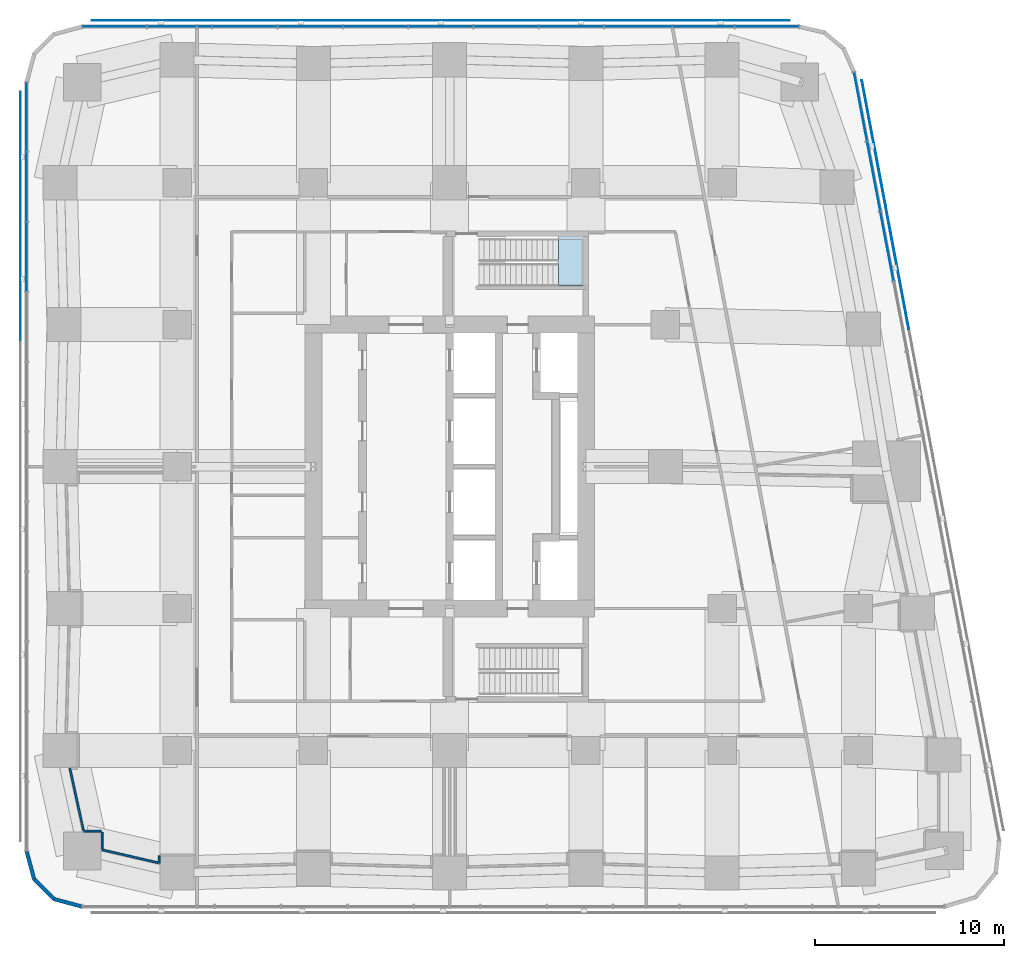
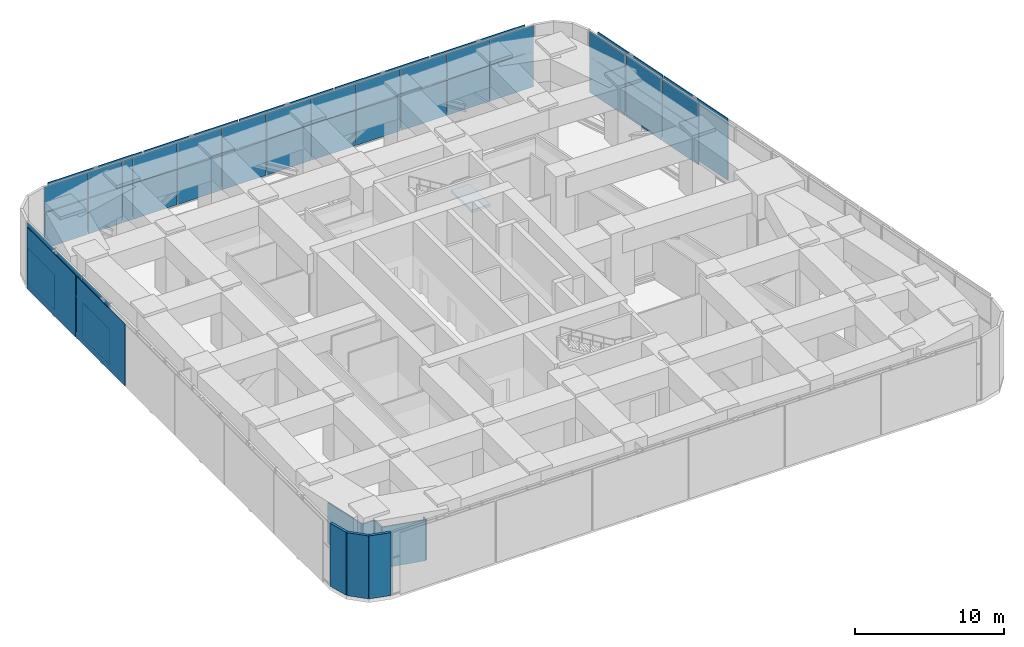
# One storey, part 11 of 17: 45 plates, 8 walls, 1 slab, 4 elements without a shape of their own.
"""IFC4 building model written with IfcOpenShell, lengths in metres."""

import ifcopenshell
import ifcopenshell.guid

model = None  # the IFC model being written
_history = None  # IfcOwnerHistory: only IFC2X3 demands one
_inside = {}  # id of a spatial element -> (the spatial element, [elements in it])
_under = {}  # id of a project, library or spatial element -> (it, [spatial elements below it])
_declared = {}  # id of a project -> (the project, [libraries it declares])
_typed = {}  # id of a type object -> (the type object, [elements of that type])
_made_of = {}  # id of a material, layer set ... -> (it, [elements and type objects made of it])


def new_model(schema):
    """Start an empty IFC model of exactly this schema.

    Asked for "IFC4X3", IfcOpenShell would pick the latest addendum, in which some entities
    have other attributes; the version numbers below select the first issue.
    IFC2X3 requires an IfcOwnerHistory on every rooted entity: one is made here for all.
    """
    global model, _history
    if schema == "IFC4X3":
        model = ifcopenshell.file(schema_version=(4, 3, 0, 0))
    else:
        model = ifcopenshell.file(schema=schema)
    _inside.clear()
    _under.clear()
    _declared.clear()
    _typed.clear()
    _made_of.clear()
    _history = None
    if model.schema == "IFC2X3":
        org = make("IfcOrganization", Name="unknown")
        user = make(
            "IfcPersonAndOrganization",
            ThePerson=make("IfcPerson", FamilyName="unknown"),
            TheOrganization=org,
        )
        app = make(
            "IfcApplication",
            ApplicationDeveloper=org,
            Version="unknown",
            ApplicationFullName="unknown",
            ApplicationIdentifier="unknown",
        )
        _history = make(
            "IfcOwnerHistory",
            OwningUser=user,
            OwningApplication=app,
            ChangeAction="ADDED",
            CreationDate=0,
        )
    return model


def make(cls, **values):
    """One entity of the class cls with the attributes given. An attribute that is None is left unset."""
    return model.create_entity(
        cls, **{name: value for name, value in values.items() if value is not None}
    )


def rooted(cls, **values):
    """An entity with a GlobalId (a new one), such as an element, a storey or a relation."""
    return make(cls, GlobalId=ifcopenshell.guid.new(), OwnerHistory=_history, **values)


def si_unit(unit_type, name, prefix=None):
    """IfcSIUnit, for example si_unit("LENGTHUNIT", "METRE", prefix="MILLI")."""
    return make("IfcSIUnit", UnitType=unit_type, Prefix=prefix, Name=name)


def assignment(units):
    """IfcUnitAssignment: the units of a project."""
    return None if units is None else make("IfcUnitAssignment", Units=units)


def point(xyz):
    """IfcCartesianPoint."""
    return None if xyz is None else make("IfcCartesianPoint", Coordinates=xyz)


def direction(xyz):
    """IfcDirection."""
    return None if xyz is None else make("IfcDirection", DirectionRatios=xyz)


def frame(location, z_axis=None, x_axis=None):
    """IfcAxis2Placement3D, a coordinate frame: its origin and axes. An axis left out is left unset."""
    return make(
        "IfcAxis2Placement3D",
        Location=point(location),
        Axis=direction(z_axis),
        RefDirection=direction(x_axis),
    )


def frame_2d(location, x_axis=None):
    """IfcAxis2Placement2D, a coordinate frame in the plane: its origin and x axis."""
    return make(
        "IfcAxis2Placement2D", Location=point(location), RefDirection=direction(x_axis)
    )


def origin():
    """The frame at (0, 0, 0) with its axes left unset."""
    return frame((0.0, 0.0, 0.0))


def origin_2d():
    """The frame at (0, 0) in the plane with its x axis left unset."""
    return frame_2d((0.0, 0.0))


def place(relative_to, where):
    """IfcLocalPlacement: puts the frame where relative to a parent placement (None: the world)."""
    return make(
        "IfcLocalPlacement", PlacementRelTo=relative_to, RelativePlacement=where
    )


def context(
    kind, dimensions, precision=None, world=None, true_north=None, identifier=None
):
    """IfcGeometricRepresentationContext, for example the 3D "Model" context."""
    return make(
        "IfcGeometricRepresentationContext",
        ContextIdentifier=identifier,
        ContextType=kind,
        CoordinateSpaceDimension=dimensions,
        Precision=precision,
        WorldCoordinateSystem=world,
        TrueNorth=true_north,
    )


def subcontext(parent, identifier, kind, view, scale=None):
    """IfcGeometricRepresentationSubContext, for example "Body" below "Model"."""
    return make(
        "IfcGeometricRepresentationSubContext",
        ContextIdentifier=identifier,
        ContextType=kind,
        ParentContext=parent,
        TargetScale=scale,
        TargetView=view,
    )


def project(units=None, contexts=None):
    """IfcProject with its units and contexts."""
    return rooted(
        "IfcProject",
        Name="project",
        RepresentationContexts=contexts,
        UnitsInContext=assignment(units),
    )


def spatial(cls, under=None, at=None, **own):
    """A site, building, storey or space (cls), placed at a placement, below another one or the project."""
    s = rooted(cls, ObjectPlacement=at, **own)
    if under is not None:
        _under.setdefault(under.id(), (under, []))[1].append(s)
    return s


def polyline(points):
    """IfcPolyline through the points."""
    return make("IfcPolyline", Points=[point(p) for p in points])


def profile(cls, at=None, kind="AREA", **sizes):
    """A parametric profile (cls). Its sizes go by their IFC names, for example OverallWidth=200.0."""
    return make(cls, ProfileType=kind, Position=at, **sizes)


def rectangle(**sizes):
    """IfcRectangleProfileDef."""
    return profile("IfcRectangleProfileDef", **sizes)


def outline(outer, holes=None, kind="AREA"):
    """IfcArbitraryClosedProfileDef: a profile drawn as a closed curve; with holes, ...WithVoids."""
    if holes is None:
        return make("IfcArbitraryClosedProfileDef", ProfileType=kind, OuterCurve=outer)
    return make(
        "IfcArbitraryProfileDefWithVoids",
        ProfileType=kind,
        OuterCurve=outer,
        InnerCurves=holes,
    )


def extrude(swept, where, along, depth):
    """IfcExtrudedAreaSolid: the profile swept, set in the frame where, extruded along a direction by depth."""
    return make(
        "IfcExtrudedAreaSolid",
        SweptArea=swept,
        Position=where,
        ExtrudedDirection=direction(along),
        Depth=depth,
    )


def shape(context_of_items, identifier, shape_type, items):
    """IfcShapeRepresentation: the items that make up one representation, for example the "Body"."""
    return make(
        "IfcShapeRepresentation",
        ContextOfItems=context_of_items,
        RepresentationIdentifier=identifier,
        RepresentationType=shape_type,
        Items=items,
    )


def material(Name=None, Category=None):
    """IfcMaterial."""
    return make("IfcMaterial", Name=Name, Category=Category)


def layer(
    of_material, thickness, ventilated=None, Name=None, Category=None, Priority=None
):
    """IfcMaterialLayer: one layer of a wall or slab, of a material (None: an air gap)."""
    return make(
        "IfcMaterialLayer",
        Material=of_material,
        LayerThickness=thickness,
        IsVentilated=ventilated,
        Name=Name,
        Category=Category,
        Priority=Priority,
    )


def layer_set(layers, Name=None):
    """IfcMaterialLayerSet."""
    return make("IfcMaterialLayerSet", MaterialLayers=layers, LayerSetName=Name)


def made_of(thing, what):
    """Note that an element or type object is made of a material, layer set ...; save() writes the relation."""
    if what is not None:
        _made_of.setdefault(what.id(), (what, []))[1].append(thing)
    return thing


def type_object(cls, material=None, **own):
    """A type object (cls), such as IfcWallType, which elements share."""
    return made_of(rooted(cls, **own), material)


def element(
    cls,
    number,
    at=None,
    inside=None,
    cuts=None,
    type_object=None,
    material=None,
    context=None,
    identifier="Body",
    shape_type=None,
    held_by="IfcProductDefinitionShape",
    body=None,
    shapes=None,
    **own,
):
    """One element of the class cls, such as IfcWall. Its Tag is "e" and its number.

    at: its placement. inside: the storey or other place that contains it. cuts: it is an
    opening in that element (IfcRelVoidsElement). A single representation is given by context,
    identifier, shape_type and body (its items); several are given by shapes. held_by: the class
    of the entity that holds the representations. save() writes the other relations.
    """
    e = rooted(cls, Tag="e%d" % number, ObjectPlacement=at, **own)
    if body is not None:
        shapes = [shape(context, identifier, shape_type, body)]
    if shapes is not None:
        e.Representation = make(held_by, Representations=shapes)
    if inside is not None:
        _inside.setdefault(inside.id(), (inside, []))[1].append(e)
    if cuts is not None:
        rooted(
            "IfcRelVoidsElement", RelatingBuildingElement=cuts, RelatedOpeningElement=e
        )
    if type_object is not None:
        _typed.setdefault(type_object.id(), (type_object, []))[1].append(e)
    return made_of(e, material)


def aggregate(whole, parts):
    """IfcRelAggregates: a whole, such as a stair, and the parts it consists of."""
    return rooted("IfcRelAggregates", RelatingObject=whole, RelatedObjects=parts)


def save(model, path):
    """Write the relations noted so far, then the file.

    IfcRelAggregates (storeys below a building ...), IfcRelContainedInSpatialStructure (elements
    in a storey), IfcRelDefinesByType, IfcRelAssociatesMaterial and IfcRelDeclares: one each for
    every whole, place, type object, material and project.
    """
    for whole, parts in _under.values():
        aggregate(whole, parts)
    for where, things in _inside.values():
        rooted(
            "IfcRelContainedInSpatialStructure",
            RelatedElements=things,
            RelatingStructure=where,
        )
    for kind, things in _typed.values():
        rooted("IfcRelDefinesByType", RelatedObjects=things, RelatingType=kind)
    for what, things in _made_of.values():
        rooted("IfcRelAssociatesMaterial", RelatedObjects=things, RelatingMaterial=what)
    for by, libraries in _declared.values():
        rooted("IfcRelDeclares", RelatingContext=by, RelatedDefinitions=libraries)
    model.write(path)


model = new_model("IFC4")

# Units and contexts
model_context = context("Model", 3, precision=1e-05, world=origin(), true_north=direction((0.0, 1.0)))
body_context = subcontext(model_context, "Body", "Model", "MODEL_VIEW")
ifc_project = project(units=[si_unit("LENGTHUNIT", "METRE"), si_unit("AREAUNIT", "SQUARE_METRE"), si_unit("VOLUMEUNIT", "CUBIC_METRE"), si_unit("PLANEANGLEUNIT", "RADIAN"), si_unit("MASSUNIT", "GRAM", prefix="KILO")], contexts=[model_context])

# Site, building, storey
site_placement = place(None, origin())
site = spatial("IfcSite", under=ifc_project, at=site_placement, CompositionType="ELEMENT")
building_placement = place(site_placement, origin())
building = spatial("IfcBuilding", under=site, at=building_placement, Name="Sheger Commons Tower", CompositionType="ELEMENT")
storey_placement = place(building_placement, frame((0.0, 0.0, 188.300048828125)))
storey = spatial("IfcBuildingStorey", under=building, at=storey_placement, Name="L48", CompositionType="ELEMENT", Elevation=188.300048828125)

# Curtain wall, plates
ifc_material_1 = material(Name="Black aluminium curtain wall, dark tinted glazing", Category="aluminium")
curtain_wall_type = type_object("IfcCurtainWallType", Name="CURTAIN WALL CW3 SKY FLOOR", PredefinedType="USERDEFINED", material=ifc_material_1)
curtain_wall_1_placement = place(storey_placement, origin())
curtain_wall_1 = element("IfcCurtainWall", 1, at=curtain_wall_1_placement, inside=storey, type_object=curtain_wall_type, Name="Curtain Wall Cw3 Sky Floor E1 L48", ObjectType="UNITISED CURTAIN WALL", PredefinedType="USERDEFINED")
ifc_material_2 = material(Name="Dark tinted double glazing", Category="glass")
ifc_layer_1 = layer(ifc_material_2, 0.031982421875)
ifc_layer_set_1 = layer_set([ifc_layer_1], Name="GLAZED PANEL 32")
plate_type_1 = type_object("IfcPlateType", Name="GLAZED PANEL 32", PredefinedType="CURTAIN_PANEL", material=ifc_layer_set_1)
plate_1_placement = place(storey_placement, frame((44.716064453125, 34.1328125, 0.06494140625), z_axis=(0.0, 0.0, 1.0), x_axis=(-0.185609884918, 0.982623514181, 0.0)))
plate_1 = element("IfcPlate", 2, at=plate_1_placement, type_object=plate_type_1, Name="CW3 panel 11.1", PredefinedType="CURTAIN_PANEL", context=body_context, shape_type="SweptSolid", body=[
    extrude(rectangle(XDim=3.697998046875, YDim=0.031982421875, at=origin_2d()), origin(), (0.0, 0.0, 1.0), 2.902587890625),
])
plate_2_placement = place(storey_placement, frame((44.716064453125, 34.1328125, 3.0322265625), z_axis=(0.0, 0.0, 1.0), x_axis=(-0.185609884918, 0.982623514181, 0.0)))
plate_2 = element("IfcPlate", 3, at=plate_2_placement, type_object=plate_type_1, Name="CW3 panel 11.2", PredefinedType="CURTAIN_PANEL", context=body_context, shape_type="SweptSolid", body=[
    extrude(rectangle(XDim=3.697998046875, YDim=0.031982421875, at=origin_2d()), origin(), (0.0, 0.0, 1.0), 2.052490234375),
])
plate_3_placement = place(storey_placement, frame((44.017822265625, 37.830322265625, 0.06494140625), z_axis=(0.0, 0.0, 1.0), x_axis=(-0.185609884918, 0.982623514181, 0.0)))
plate_3 = element("IfcPlate", 4, at=plate_3_placement, type_object=plate_type_1, Name="CW3 panel 12.1", PredefinedType="CURTAIN_PANEL", context=body_context, shape_type="SweptSolid", body=[
    extrude(rectangle(XDim=3.697998046875, YDim=0.031982421875, at=origin_2d()), origin(), (0.0, 0.0, 1.0), 2.902587890625),
])
plate_4_placement = place(storey_placement, frame((44.017822265625, 37.830322265625, 3.0322265625), z_axis=(0.0, 0.0, 1.0), x_axis=(-0.185609884918, 0.982623514181, 0.0)))
plate_4 = element("IfcPlate", 5, at=plate_4_placement, type_object=plate_type_1, Name="CW3 panel 12.2", PredefinedType="CURTAIN_PANEL", context=body_context, shape_type="SweptSolid", body=[
    extrude(rectangle(XDim=3.697998046875, YDim=0.031982421875, at=origin_2d()), origin(), (0.0, 0.0, 1.0), 2.052490234375),
])
plate_5_placement = place(storey_placement, frame((43.322265625, 41.51220703125, 0.06494140625), z_axis=(0.0, 0.0, 1.0), x_axis=(-0.185609884918, 0.982623514181, 0.0)))
plate_5 = element("IfcPlate", 6, at=plate_5_placement, type_object=plate_type_1, Name="CW3 panel 13.1", PredefinedType="CURTAIN_PANEL", context=body_context, shape_type="SweptSolid", body=[
    extrude(rectangle(XDim=3.665771484375, YDim=0.031982421875, at=origin_2d()), origin(), (0.0, 0.0, 1.0), 2.902587890625),
])
plate_6_placement = place(storey_placement, frame((43.322265625, 41.51220703125, 3.0322265625), z_axis=(0.0, 0.0, 1.0), x_axis=(-0.185609884918, 0.982623514181, 0.0)))
plate_6 = element("IfcPlate", 7, at=plate_6_placement, type_object=plate_type_1, Name="CW3 panel 13.2", PredefinedType="CURTAIN_PANEL", context=body_context, shape_type="SweptSolid", body=[
    extrude(rectangle(XDim=3.665771484375, YDim=0.031982421875, at=origin_2d()), origin(), (0.0, 0.0, 1.0), 2.052490234375),
])
aggregate(curtain_wall_1, [plate_1, plate_2, plate_3, plate_4, plate_5, plate_6])

curtain_wall_2_placement = place(storey_placement, origin())
curtain_wall_2 = element("IfcCurtainWall", 8, at=curtain_wall_2_placement, inside=storey, type_object=curtain_wall_type, Name="Curtain Wall Cw3 Sky Floor N1 L48", ObjectType="UNITISED CURTAIN WALL", PredefinedType="USERDEFINED")
plate_7_placement = place(storey_placement, frame((38.365234375, 45.75, 0.06494140625), z_axis=(0.0, 0.0, 1.0), x_axis=(-1.0, 0.0, 0.0)))
plate_7 = element("IfcPlate", 9, at=plate_7_placement, type_object=plate_type_1, Name="CW3 panel 1.1", PredefinedType="CURTAIN_PANEL", context=body_context, shape_type="SweptSolid", body=[
    extrude(rectangle(XDim=3.3515625, YDim=0.031982421875, at=origin_2d()), origin(), (0.0, 0.0, 1.0), 2.902587890625),
])
plate_8_placement = place(storey_placement, frame((38.365234375, 45.75, 3.0322265625), z_axis=(0.0, 0.0, 1.0), x_axis=(-1.0, 0.0, 0.0)))
plate_8 = element("IfcPlate", 10, at=plate_8_placement, type_object=plate_type_1, Name="CW3 panel 1.2", PredefinedType="CURTAIN_PANEL", context=body_context, shape_type="SweptSolid", body=[
    extrude(rectangle(XDim=3.3515625, YDim=0.031982421875, at=origin_2d()), origin(), (0.0, 0.0, 1.0), 2.052490234375),
])
plate_9_placement = place(storey_placement, frame((35.010009765625, 45.75, 0.06494140625), z_axis=(0.0, 0.0, 1.0), x_axis=(-1.0, 0.0, 0.0)))
plate_9 = element("IfcPlate", 11, at=plate_9_placement, type_object=plate_type_1, Name="CW3 panel 2.1", PredefinedType="CURTAIN_PANEL", context=body_context, shape_type="SweptSolid", body=[
    extrude(rectangle(XDim=3.22900390625, YDim=0.031982421875, at=origin_2d()), origin(), (0.0, 0.0, 1.0), 2.902587890625),
])
plate_10_placement = place(storey_placement, frame((35.010009765625, 45.75, 3.0322265625), z_axis=(0.0, 0.0, 1.0), x_axis=(-1.0, 0.0, 0.0)))
plate_10 = element("IfcPlate", 12, at=plate_10_placement, type_object=plate_type_1, Name="CW3 panel 2.2", PredefinedType="CURTAIN_PANEL", context=body_context, shape_type="SweptSolid", body=[
    extrude(rectangle(XDim=3.22900390625, YDim=0.031982421875, at=origin_2d()), origin(), (0.0, 0.0, 1.0), 2.052490234375),
])
plate_11_placement = place(storey_placement, frame((31.560546875, 45.75, 0.06494140625), z_axis=(0.0, 0.0, 1.0), x_axis=(-1.0, 0.0, 0.0)))
plate_11 = element("IfcPlate", 13, at=plate_11_placement, type_object=plate_type_1, Name="CW3 panel 3.1", PredefinedType="CURTAIN_PANEL", context=body_context, shape_type="SweptSolid", body=[
    extrude(rectangle(XDim=3.5400390625, YDim=0.031982421875, at=origin_2d()), origin(), (0.0, 0.0, 1.0), 2.902587890625),
])
plate_12_placement = place(storey_placement, frame((31.560546875, 45.75, 3.0322265625), z_axis=(0.0, 0.0, 1.0), x_axis=(-1.0, 0.0, 0.0)))
plate_12 = element("IfcPlate", 14, at=plate_12_placement, type_object=plate_type_1, Name="CW3 panel 3.2", PredefinedType="CURTAIN_PANEL", context=body_context, shape_type="SweptSolid", body=[
    extrude(rectangle(XDim=3.5400390625, YDim=0.031982421875, at=origin_2d()), origin(), (0.0, 0.0, 1.0), 2.052490234375),
])
plate_13_placement = place(storey_placement, frame((28.033447265625, 45.75, 0.06494140625), z_axis=(0.0, 0.0, 1.0), x_axis=(-1.0, 0.0, 0.0)))
plate_13 = element("IfcPlate", 15, at=plate_13_placement, type_object=plate_type_1, Name="CW3 panel 4.1", PredefinedType="CURTAIN_PANEL", context=body_context, shape_type="SweptSolid", body=[
    extrude(rectangle(XDim=3.384033203125, YDim=0.031982421875, at=origin_2d()), origin(), (0.0, 0.0, 1.0), 2.902587890625),
])
plate_14_placement = place(storey_placement, frame((28.033447265625, 45.75, 3.0322265625), z_axis=(0.0, 0.0, 1.0), x_axis=(-1.0, 0.0, 0.0)))
plate_14 = element("IfcPlate", 16, at=plate_14_placement, type_object=plate_type_1, Name="CW3 panel 4.2", PredefinedType="CURTAIN_PANEL", context=body_context, shape_type="SweptSolid", body=[
    extrude(rectangle(XDim=3.384033203125, YDim=0.031982421875, at=origin_2d()), origin(), (0.0, 0.0, 1.0), 2.052490234375),
])
plate_15_placement = place(storey_placement, frame((24.583984375, 45.75, 0.06494140625), z_axis=(0.0, 0.0, 1.0), x_axis=(-1.0, 0.0, 0.0)))
plate_15 = element("IfcPlate", 17, at=plate_15_placement, type_object=plate_type_1, Name="CW3 panel 5.1", PredefinedType="CURTAIN_PANEL", context=body_context, shape_type="SweptSolid", body=[
    extrude(rectangle(XDim=3.385009765625, YDim=0.031982421875, at=origin_2d()), origin(), (0.0, 0.0, 1.0), 2.902587890625),
])
plate_16_placement = place(storey_placement, frame((24.583984375, 45.75, 3.0322265625), z_axis=(0.0, 0.0, 1.0), x_axis=(-1.0, 0.0, 0.0)))
plate_16 = element("IfcPlate", 18, at=plate_16_placement, type_object=plate_type_1, Name="CW3 panel 5.2", PredefinedType="CURTAIN_PANEL", context=body_context, shape_type="SweptSolid", body=[
    extrude(rectangle(XDim=3.385009765625, YDim=0.031982421875, at=origin_2d()), origin(), (0.0, 0.0, 1.0), 2.052490234375),
])
plate_17_placement = place(storey_placement, frame((21.134521484375, 45.75, 0.06494140625), z_axis=(0.0, 0.0, 1.0), x_axis=(-1.0, 0.0, 0.0)))
plate_17 = element("IfcPlate", 19, at=plate_17_placement, type_object=plate_type_1, Name="CW3 panel 6.1", PredefinedType="CURTAIN_PANEL", context=body_context, shape_type="SweptSolid", body=[
    extrude(rectangle(XDim=3.384033203125, YDim=0.031982421875, at=origin_2d()), origin(), (0.0, 0.0, 1.0), 2.902587890625),
])
plate_18_placement = place(storey_placement, frame((21.134521484375, 45.75, 3.0322265625), z_axis=(0.0, 0.0, 1.0), x_axis=(-1.0, 0.0, 0.0)))
plate_18 = element("IfcPlate", 20, at=plate_18_placement, type_object=plate_type_1, Name="CW3 panel 6.2", PredefinedType="CURTAIN_PANEL", context=body_context, shape_type="SweptSolid", body=[
    extrude(rectangle(XDim=3.384033203125, YDim=0.031982421875, at=origin_2d()), origin(), (0.0, 0.0, 1.0), 2.052490234375),
])
plate_19_placement = place(storey_placement, frame((17.68505859375, 45.75, 0.06494140625), z_axis=(0.0, 0.0, 1.0), x_axis=(-1.0, 0.0, 0.0)))
plate_19 = element("IfcPlate", 21, at=plate_19_placement, type_object=plate_type_1, Name="CW3 panel 7.1", PredefinedType="CURTAIN_PANEL", context=body_context, shape_type="SweptSolid", body=[
    extrude(rectangle(XDim=3.385009765625, YDim=0.031982421875, at=origin_2d()), origin(), (0.0, 0.0, 1.0), 2.902587890625),
])
plate_20_placement = place(storey_placement, frame((17.68505859375, 45.75, 3.0322265625), z_axis=(0.0, 0.0, 1.0), x_axis=(-1.0, 0.0, 0.0)))
plate_20 = element("IfcPlate", 22, at=plate_20_placement, type_object=plate_type_1, Name="CW3 panel 7.2", PredefinedType="CURTAIN_PANEL", context=body_context, shape_type="SweptSolid", body=[
    extrude(rectangle(XDim=3.385009765625, YDim=0.031982421875, at=origin_2d()), origin(), (0.0, 0.0, 1.0), 2.052490234375),
])
plate_21_placement = place(storey_placement, frame((14.235595703125, 45.75, 0.06494140625), z_axis=(0.0, 0.0, 1.0), x_axis=(-1.0, 0.0, 0.0)))
plate_21 = element("IfcPlate", 23, at=plate_21_placement, type_object=plate_type_1, Name="CW3 panel 8.1", PredefinedType="CURTAIN_PANEL", context=body_context, shape_type="SweptSolid", body=[
    extrude(rectangle(XDim=3.384033203125, YDim=0.031982421875, at=origin_2d()), origin(), (0.0, 0.0, 1.0), 2.902587890625),
])
plate_22_placement = place(storey_placement, frame((14.235595703125, 45.75, 3.0322265625), z_axis=(0.0, 0.0, 1.0), x_axis=(-1.0, 0.0, 0.0)))
plate_22 = element("IfcPlate", 24, at=plate_22_placement, type_object=plate_type_1, Name="CW3 panel 8.2", PredefinedType="CURTAIN_PANEL", context=body_context, shape_type="SweptSolid", body=[
    extrude(rectangle(XDim=3.384033203125, YDim=0.031982421875, at=origin_2d()), origin(), (0.0, 0.0, 1.0), 2.052490234375),
])
plate_23_placement = place(storey_placement, frame((10.78662109375, 45.75, 0.06494140625), z_axis=(0.0, 0.0, 1.0), x_axis=(-1.0, 0.0, 0.0)))
plate_23 = element("IfcPlate", 25, at=plate_23_placement, type_object=plate_type_1, Name="CW3 panel 9.1", PredefinedType="CURTAIN_PANEL", context=body_context, shape_type="SweptSolid", body=[
    extrude(rectangle(XDim=3.384033203125, YDim=0.031982421875, at=origin_2d()), origin(), (0.0, 0.0, 1.0), 2.902587890625),
])
plate_24_placement = place(storey_placement, frame((10.78662109375, 45.75, 3.0322265625), z_axis=(0.0, 0.0, 1.0), x_axis=(-1.0, 0.0, 0.0)))
plate_24 = element("IfcPlate", 26, at=plate_24_placement, type_object=plate_type_1, Name="CW3 panel 9.2", PredefinedType="CURTAIN_PANEL", context=body_context, shape_type="SweptSolid", body=[
    extrude(rectangle(XDim=3.384033203125, YDim=0.031982421875, at=origin_2d()), origin(), (0.0, 0.0, 1.0), 2.052490234375),
])
plate_25_placement = place(storey_placement, frame((8.656005859375, 45.75, 0.06494140625), z_axis=(0.0, 0.0, 1.0), x_axis=(-1.0, 0.0, 0.0)))
plate_25 = element("IfcPlate", 27, at=plate_25_placement, type_object=plate_type_1, Name="CW3 panel 10.1", PredefinedType="CURTAIN_PANEL", context=body_context, shape_type="SweptSolid", body=[
    extrude(rectangle(XDim=0.7470703125, YDim=0.031982421875, at=origin_2d()), origin(), (0.0, 0.0, 1.0), 2.902587890625),
])
plate_26_placement = place(storey_placement, frame((8.656005859375, 45.75, 3.0322265625), z_axis=(0.0, 0.0, 1.0), x_axis=(-1.0, 0.0, 0.0)))
plate_26 = element("IfcPlate", 28, at=plate_26_placement, type_object=plate_type_1, Name="CW3 panel 10.2", PredefinedType="CURTAIN_PANEL", context=body_context, shape_type="SweptSolid", body=[
    extrude(rectangle(XDim=0.7470703125, YDim=0.031982421875, at=origin_2d()), origin(), (0.0, 0.0, 1.0), 2.052490234375),
])
plate_27_placement = place(storey_placement, frame((6.930908203125, 45.75, 0.06494140625), z_axis=(0.0, 0.0, 1.0), x_axis=(-1.0, 0.0, 0.0)))
plate_27 = element("IfcPlate", 29, at=plate_27_placement, type_object=plate_type_1, Name="CW3 panel 11.1", PredefinedType="CURTAIN_PANEL", context=body_context, shape_type="SweptSolid", body=[
    extrude(rectangle(XDim=2.572998046875, YDim=0.031982421875, at=origin_2d()), origin(), (0.0, 0.0, 1.0), 2.902587890625),
])
plate_28_placement = place(storey_placement, frame((6.930908203125, 45.75, 3.0322265625), z_axis=(0.0, 0.0, 1.0), x_axis=(-1.0, 0.0, 0.0)))
plate_28 = element("IfcPlate", 30, at=plate_28_placement, type_object=plate_type_1, Name="CW3 panel 11.2", PredefinedType="CURTAIN_PANEL", context=body_context, shape_type="SweptSolid", body=[
    extrude(rectangle(XDim=2.572998046875, YDim=0.031982421875, at=origin_2d()), origin(), (0.0, 0.0, 1.0), 2.052490234375),
])
plate_29_placement = place(storey_placement, frame((3.90380859375, 45.75, 0.06494140625), z_axis=(0.0, 0.0, 1.0), x_axis=(-1.0, 0.0, 0.0)))
plate_29 = element("IfcPlate", 31, at=plate_29_placement, type_object=plate_type_1, Name="CW3 panel 12.1", PredefinedType="CURTAIN_PANEL", context=body_context, shape_type="SweptSolid", body=[
    extrude(rectangle(XDim=3.3515625, YDim=0.031982421875, at=origin_2d()), origin(), (0.0, 0.0, 1.0), 2.902587890625),
])
plate_30_placement = place(storey_placement, frame((3.90380859375, 45.75, 3.0322265625), z_axis=(0.0, 0.0, 1.0), x_axis=(-1.0, 0.0, 0.0)))
plate_30 = element("IfcPlate", 32, at=plate_30_placement, type_object=plate_type_1, Name="CW3 panel 12.2", PredefinedType="CURTAIN_PANEL", context=body_context, shape_type="SweptSolid", body=[
    extrude(rectangle(XDim=3.3515625, YDim=0.031982421875, at=origin_2d()), origin(), (0.0, 0.0, 1.0), 2.052490234375),
])
aggregate(curtain_wall_2, [plate_7, plate_8, plate_9, plate_10, plate_11, plate_12, plate_13, plate_14, plate_15, plate_16, plate_17, plate_18, plate_19, plate_20, plate_21, plate_22, plate_23, plate_24, plate_25, plate_26, plate_27, plate_28, plate_29, plate_30])

curtain_wall_3_placement = place(storey_placement, origin())
curtain_wall_3 = element("IfcCurtainWall", 33, at=curtain_wall_3_placement, inside=storey, type_object=curtain_wall_type, Name="Curtain Wall Cw3 Sky Floor W1 L48", ObjectType="UNITISED CURTAIN WALL", PredefinedType="USERDEFINED")
plate_31_placement = place(storey_placement, frame((-0.75, 40.9716796875, 0.06494140625), z_axis=(0.0, 0.0, 1.0), x_axis=(0.0, -1.0, 0.0)))
plate_31 = element("IfcPlate", 34, at=plate_31_placement, type_object=plate_type_1, Name="CW3 panel 1.1", PredefinedType="CURTAIN_PANEL", context=body_context, shape_type="SweptSolid", body=[
    extrude(rectangle(XDim=3.6005859375, YDim=0.031982421875, at=origin_2d()), origin(), (0.0, 0.0, 1.0), 2.902587890625),
])
plate_32_placement = place(storey_placement, frame((-0.75, 40.9716796875, 3.0322265625), z_axis=(0.0, 0.0, 1.0), x_axis=(0.0, -1.0, 0.0)))
plate_32 = element("IfcPlate", 35, at=plate_32_placement, type_object=plate_type_1, Name="CW3 panel 1.2", PredefinedType="CURTAIN_PANEL", context=body_context, shape_type="SweptSolid", body=[
    extrude(rectangle(XDim=3.6005859375, YDim=0.031982421875, at=origin_2d()), origin(), (0.0, 0.0, 1.0), 2.052490234375),
])
plate_33_placement = place(storey_placement, frame((-0.75, 37.29052734375, 0.06494140625), z_axis=(0.0, 0.0, 1.0), x_axis=(0.0, -1.0, 0.0)))
plate_33 = element("IfcPlate", 36, at=plate_33_placement, type_object=plate_type_1, Name="CW3 panel 2.1", PredefinedType="CURTAIN_PANEL", context=body_context, shape_type="SweptSolid", body=[
    extrude(rectangle(XDim=3.632080078125, YDim=0.031982421875, at=origin_2d()), origin(), (0.0, 0.0, 1.0), 2.902587890625),
])
plate_34_placement = place(storey_placement, frame((-0.75, 37.29052734375, 3.0322265625), z_axis=(0.0, 0.0, 1.0), x_axis=(0.0, -1.0, 0.0)))
plate_34 = element("IfcPlate", 37, at=plate_34_placement, type_object=plate_type_1, Name="CW3 panel 2.2", PredefinedType="CURTAIN_PANEL", context=body_context, shape_type="SweptSolid", body=[
    extrude(rectangle(XDim=3.632080078125, YDim=0.031982421875, at=origin_2d()), origin(), (0.0, 0.0, 1.0), 2.052490234375),
])
plate_35_placement = place(storey_placement, frame((-0.75, 33.593017578125, 0.06494140625), z_axis=(0.0, 0.0, 1.0), x_axis=(0.0, -1.0, 0.0)))
plate_35 = element("IfcPlate", 38, at=plate_35_placement, type_object=plate_type_1, Name="CW3 panel 3.1", PredefinedType="CURTAIN_PANEL", context=body_context, shape_type="SweptSolid", body=[
    extrude(rectangle(XDim=3.633056640625, YDim=0.031982421875, at=origin_2d()), origin(), (0.0, 0.0, 1.0), 2.902587890625),
])
plate_36_placement = place(storey_placement, frame((-0.75, 33.593017578125, 3.0322265625), z_axis=(0.0, 0.0, 1.0), x_axis=(0.0, -1.0, 0.0)))
plate_36 = element("IfcPlate", 39, at=plate_36_placement, type_object=plate_type_1, Name="CW3 panel 3.2", PredefinedType="CURTAIN_PANEL", context=body_context, shape_type="SweptSolid", body=[
    extrude(rectangle(XDim=3.633056640625, YDim=0.031982421875, at=origin_2d()), origin(), (0.0, 0.0, 1.0), 2.052490234375),
])
aggregate(curtain_wall_3, [plate_31, plate_32, plate_33, plate_34, plate_35, plate_36])

# Plates
ifc_material_3 = material(Name="Perforated black anodised aluminium screen", Category="aluminium")
ifc_layer_2 = layer(ifc_material_3, 0.050048828125)
ifc_layer_set_2 = layer_set([ifc_layer_2], Name="SOLAR SCREEN SCREEN-1")
plate_type_2 = type_object("IfcPlateType", Name="SOLAR SCREEN SCREEN-1", PredefinedType="USERDEFINED", material=ifc_layer_set_2)
for number, where, z_axis, x_axis, name in (
    (40, (45.2548828125, 33.028076171875, 0.0498046875), (0.0, 0.0, 1.0), (-0.185615165645, 0.982622516678, 0.0), "Perforated solar screen panel"),
    (41, (44.0048828125, 39.64794921875, 0.0498046875), (0.0, 0.0, 1.0), (-0.185615165645, 0.982622516678, 0.0), "Perforated solar screen panel"),
):
    element("IfcPlate", number, at=place(storey_placement, frame(where, z_axis=z_axis, x_axis=x_axis)), inside=storey, type_object=plate_type_2, Name=name, ObjectType="SCREEN", PredefinedType="USERDEFINED", context=body_context, shape_type="SweptSolid", body=[
        extrude(rectangle(XDim=6.636962890625, YDim=0.050048828125, at=origin_2d()), origin(), (0.0, 0.0, 1.0), 5.050048828125),
    ])
for number, where, z_axis, x_axis, name in (
    (42, (35.9208984375, 46.074951171875, 0.0498046875), (0.0, 0.0, 1.0), (-1.0, 0.0, 0.0), "Perforated solar screen panel"),
    (43, (28.528076171875, 46.074951171875, 0.0498046875), (0.0, 0.0, 1.0), (-1.0, 0.0, 0.0), "Perforated solar screen panel"),
    (44, (21.134033203125, 46.074951171875, 0.0498046875), (0.0, 0.0, 1.0), (-1.0, 0.0, 0.0), "Perforated solar screen panel"),
    (45, (13.739990234375, 46.074951171875, 0.0498046875), (0.0, 0.0, 1.0), (-1.0, 0.0, 0.0), "Perforated solar screen panel"),
    (46, (6.346923828125, 46.074951171875, 0.0498046875), (0.0, 0.0, 1.0), (-1.0, 0.0, 0.0), "Perforated solar screen panel"),
):
    element("IfcPlate", number, at=place(storey_placement, frame(where, z_axis=z_axis, x_axis=x_axis)), inside=storey, type_object=plate_type_2, Name=name, ObjectType="SCREEN", PredefinedType="USERDEFINED", context=body_context, shape_type="SweptSolid", body=[
        extrude(rectangle(XDim=7.2939453125, YDim=0.050048828125, at=origin_2d()), origin(), (0.0, 0.0, 1.0), 5.050048828125),
    ])
for number, where, z_axis, x_axis, name in (
    (47, (-1.074951171875, 39.0419921875, 0.0498046875), (0.0, 0.0, 1.0), (0.0, -1.0, 0.0), "Perforated solar screen panel"),
    (48, (-1.074951171875, 32.425048828125, 0.0498046875), (0.0, 0.0, 1.0), (0.0, -1.0, 0.0), "Perforated solar screen panel"),
):
    element("IfcPlate", number, at=place(storey_placement, frame(where, z_axis=z_axis, x_axis=x_axis)), inside=storey, type_object=plate_type_2, Name=name, ObjectType="SCREEN", PredefinedType="USERDEFINED", context=body_context, shape_type="SweptSolid", body=[
        extrude(rectangle(XDim=6.51708984375, YDim=0.050048828125, at=origin_2d()), origin(), (0.0, 0.0, 1.0), 5.050048828125),
    ])

# Stair, slab
ifc_material_4 = material(Name="Concrete C35/45", Category="concrete")
stair_type = type_object("IfcStairType", Name="HALF-TURN STAIR 1200 RISE 5400", PredefinedType="HALF_TURN_STAIR", material=ifc_material_4)
stair_placement = place(storey_placement, origin())
stair = element("IfcStair", 49, at=stair_placement, inside=storey, type_object=stair_type, Name="Stair S2 L48", PredefinedType="HALF_TURN_STAIR")
ifc_material_5 = material(Name="Concrete C35/45", Category="concrete")
ifc_layer_3 = layer(ifc_material_5, 0.199951171875)
ifc_layer_set_3 = layer_set([ifc_layer_3], Name="STAIR LANDING 200")
slab_type = type_object("IfcSlabType", Name="STAIR LANDING 200", PredefinedType="LANDING", material=ifc_layer_set_3)
slab_placement = place(storey_placement, frame((0.0, 0.0, 2.5)))
slab = element("IfcSlab", 50, at=slab_placement, type_object=slab_type, Name="S2 landing 1", PredefinedType="LANDING", context=body_context, shape_type="SweptSolid", body=[
    extrude(outline(polyline([(27.35009765625, 32.050048828125), (28.800048828125, 32.050048828125), (28.800048828125, 34.800048828125), (27.35009765625, 34.800048828125), (27.35009765625, 32.050048828125)])), origin(), (0.0, 0.0, 1.0), 0.199951171875),
])
aggregate(stair, [slab])

# Walls
ifc_material_6 = material(Name="Rendered concrete block masonry, dark grey", Category="masonry")
ifc_layer_4 = layer(ifc_material_6, 0.199951171875)
ifc_layer_set_4 = layer_set([ifc_layer_4], Name="FACADE WALL 200")
wall_type_1 = type_object("IfcWallType", Name="FACADE WALL 200", PredefinedType="SOLIDWALL", material=ifc_layer_set_4)
wall_1_placement = place(storey_placement, frame((-0.75, 2.1630859375, 0.0), z_axis=(0.0, 0.0, 1.0), x_axis=(0.259168954497, -0.965832000415, 0.0)))
element("IfcWall", 51, at=wall_1_placement, inside=storey, type_object=wall_type_1, Name="Facade wall L48", PredefinedType="SOLIDWALL", context=body_context, shape_type="SweptSolid", body=[
    extrude(rectangle(XDim=1.512939453125, YDim=0.199951171875, at=frame_2d((0.75634765625, 0.0))), origin(), (0.0, 0.0, 1.0), 5.14990234375),
])
wall_2_placement = place(storey_placement, frame((-0.35791015625, 0.701904296875, 0.0), z_axis=(0.0, 0.0, 1.0), x_axis=(0.707106781187, -0.707106781187, 0.0)))
element("IfcWall", 52, at=wall_2_placement, inside=storey, type_object=wall_type_1, Name="Facade wall L48", PredefinedType="SOLIDWALL", context=body_context, shape_type="SweptSolid", body=[
    extrude(rectangle(XDim=1.498779296875, YDim=0.199951171875, at=frame_2d((0.74951171875, 0.0))), origin(), (0.0, 0.0, 1.0), 5.14990234375),
])
wall_3_placement = place(storey_placement, frame((0.701904296875, -0.35791015625, 0.0), z_axis=(0.0, 0.0, 1.0), x_axis=(0.965832000415, -0.259168954497, 0.0)))
element("IfcWall", 53, at=wall_3_placement, inside=storey, type_object=wall_type_1, Name="Facade wall L48", PredefinedType="SOLIDWALL", context=body_context, shape_type="SweptSolid", body=[
    extrude(rectangle(XDim=1.512939453125, YDim=0.199951171875, at=frame_2d((0.75634765625, 0.0))), origin(), (0.0, 0.0, 1.0), 5.14990234375),
])
ifc_material_7 = material(Name="Gypsum board on steel studs", Category="steel")
ifc_layer_5 = layer(ifc_material_7, 0.10009765625)
ifc_layer_set_5 = layer_set([ifc_layer_5], Name="PARTITION 100")
wall_type_2 = type_object("IfcWallType", Name="PARTITION 100", PredefinedType="PARTITIONING", material=ifc_layer_set_5)
wall_4_placement = place(storey_placement, frame((6.25, 1.925048828125, 0.0), z_axis=(0.0, 0.0, 1.0), x_axis=(0.0, -1.0, 0.0)))
element("IfcWall", 54, at=wall_4_placement, inside=storey, type_object=wall_type_2, Name="Partition L48", PredefinedType="PARTITIONING", context=body_context, shape_type="SweptSolid", body=[
    extrude(rectangle(XDim=0.3720703125, YDim=0.10009765625, at=frame_2d((0.18603515625, 0.0))), origin(), (0.0, 0.0, 1.0), 3.349853515625),
])
wall_5_placement = place(storey_placement, frame((6.18896484375, 1.56689453125, 0.0), z_axis=(0.0, 0.0, 1.0), x_axis=(-0.974199433665, 0.225688864252, 0.0)))
element("IfcWall", 55, at=wall_5_placement, inside=storey, type_object=wall_type_2, Name="Partition L48", PredefinedType="PARTITIONING", context=body_context, shape_type="SweptSolid", body=[
    extrude(rectangle(XDim=3.031005859375, YDim=0.10009765625, at=frame_2d((1.515625, 0.0))), origin(), (0.0, 0.0, 1.0), 3.349853515625),
])
wall_6_placement = place(storey_placement, frame((3.236083984375, 2.300048828125, 0.0), z_axis=(0.0, 0.0, 1.0), x_axis=(0.0, 1.0, 0.0)))
element("IfcWall", 56, at=wall_6_placement, inside=storey, type_object=wall_type_2, Name="Partition L48", PredefinedType="PARTITIONING", context=body_context, shape_type="SweptSolid", body=[
    extrude(rectangle(XDim=0.885986328125, YDim=0.10009765625, at=frame_2d((0.44287109375, 0.0))), origin(), (0.0, 0.0, 1.0), 3.349853515625),
])
wall_7_placement = place(storey_placement, frame((3.18603515625, 3.236083984375, 0.0), z_axis=(0.0, 0.0, 1.0), x_axis=(-1.0, 0.0, 0.0)))
element("IfcWall", 57, at=wall_7_placement, inside=storey, type_object=wall_type_2, Name="Partition L48", PredefinedType="PARTITIONING", context=body_context, shape_type="SweptSolid", body=[
    extrude(rectangle(XDim=0.922119140625, YDim=0.10009765625, at=frame_2d((0.4609375, 0.0))), origin(), (0.0, 0.0, 1.0), 3.349853515625),
])
wall_8_placement = place(storey_placement, frame((2.25390625, 3.283935546875, 0.0), z_axis=(0.0, 0.0, 1.0), x_axis=(-0.213527004162, 0.976937161998, 0.0)))
element("IfcWall", 58, at=wall_8_placement, inside=storey, type_object=wall_type_2, Name="Partition L48", PredefinedType="PARTITIONING", context=body_context, shape_type="SweptSolid", body=[
    extrude(rectangle(XDim=3.34326171875, YDim=0.10009765625, at=frame_2d((1.671630859375, 0.0))), origin(), (0.0, 0.0, 1.0), 3.349853515625),
])

save(model, "model.ifc")
